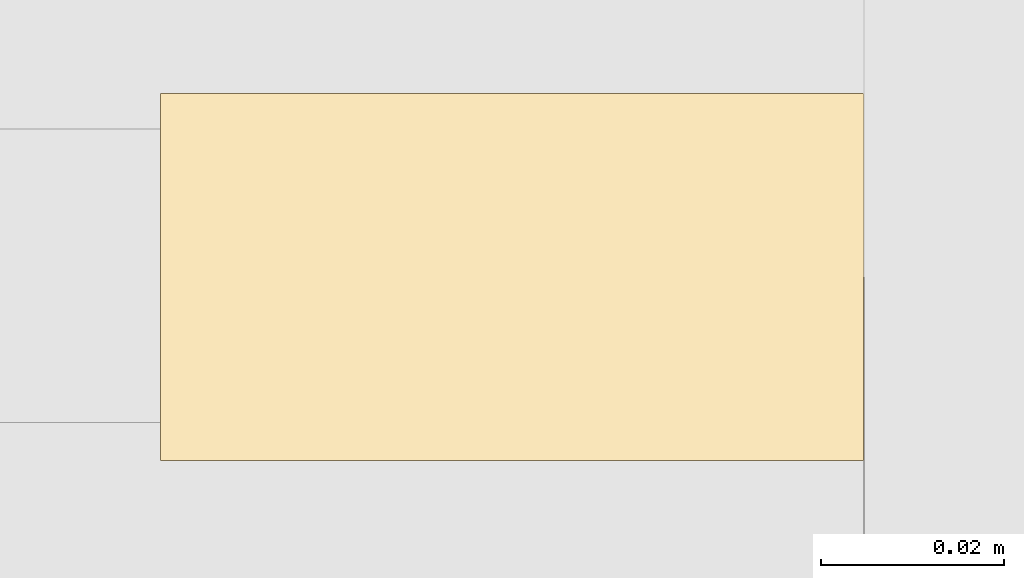
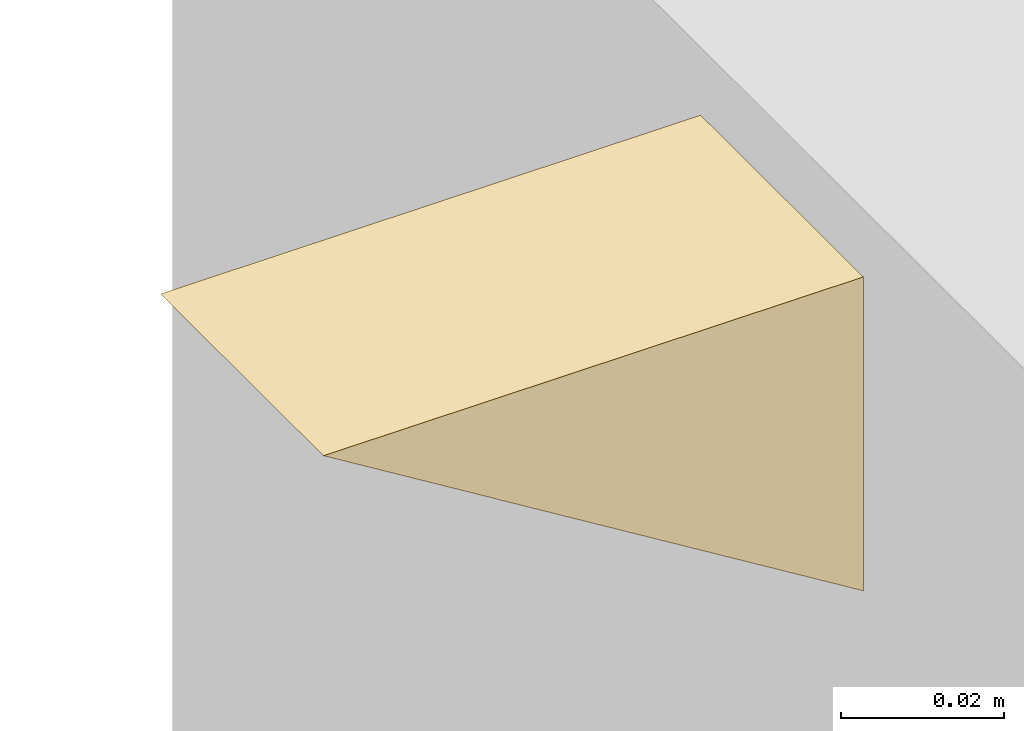
# One storey, part 16 of 17: 1 covering.
"""IFC4 building model written with IfcOpenShell, lengths in metres."""

from ifc_helpers import new_model, si_unit, direction, frame, origin, place, context, subcontext, project, spatial, polyline, outline, extrude, material, layer, layer_set, type_object, element, save


model = new_model("IFC4")

# Units and contexts
model_context = context("Model", 3, precision=1e-05, world=origin(), true_north=direction((0.0, 1.0)))
body_context = subcontext(model_context, "Body", "Model", "MODEL_VIEW")
ifc_project = project(units=[si_unit("LENGTHUNIT", "METRE"), si_unit("AREAUNIT", "SQUARE_METRE"), si_unit("VOLUMEUNIT", "CUBIC_METRE"), si_unit("PLANEANGLEUNIT", "RADIAN"), si_unit("MASSUNIT", "GRAM", prefix="KILO")], contexts=[model_context])

# Site, building, storey
site_placement = place(None, origin())
site = spatial("IfcSite", under=ifc_project, at=site_placement, CompositionType="ELEMENT")
building_placement = place(site_placement, origin())
building = spatial("IfcBuilding", under=site, at=building_placement, Name="Malebo Sky Hospital", CompositionType="ELEMENT")
storey_placement = place(building_placement, frame((0.0, 0.0, 55.0)))
storey = spatial("IfcBuildingStorey", under=building, at=storey_placement, Name="L12", CompositionType="ELEMENT", Elevation=55.0)

# Covering
ifc_material = material(Name="Anodised aluminium, natural silver insulated infill panel", Category="aluminium")
ifc_layer = layer(ifc_material, 0.0400390625)
ifc_layer_set = layer_set([ifc_layer], Name="BRACE INFILL PANEL 40")
covering_type = type_object("IfcCoveringType", Name="BRACE INFILL PANEL 40", PredefinedType="CLADDING", material=ifc_layer_set)
covering_placement = place(storey_placement, frame((41.024169921875, 87.5, 3.94287109375), z_axis=(0.0, 0.0, 1.0), x_axis=(1.0, 0.0, 0.0)))
element("IfcCovering", 1, at=covering_placement, inside=storey, type_object=covering_type, Name="Brace infill panel 1.1", PredefinedType="CLADDING", context=body_context, shape_type="SweptSolid", body=[
    extrude(outline(polyline([(0.038330078125, 0.0), (0.038330078125, 0.047119140625), (-0.038330078125, 0.047119140625), (0.038330078125, 0.0)])), frame((0.0, 0.02001953125, 0.0), z_axis=(0.0, -1.0, 0.0), x_axis=(1.0, 0.0, 0.0)), (0.0, 0.0, 1.0), 0.0400390625),
])

save(model, "model.ifc")
